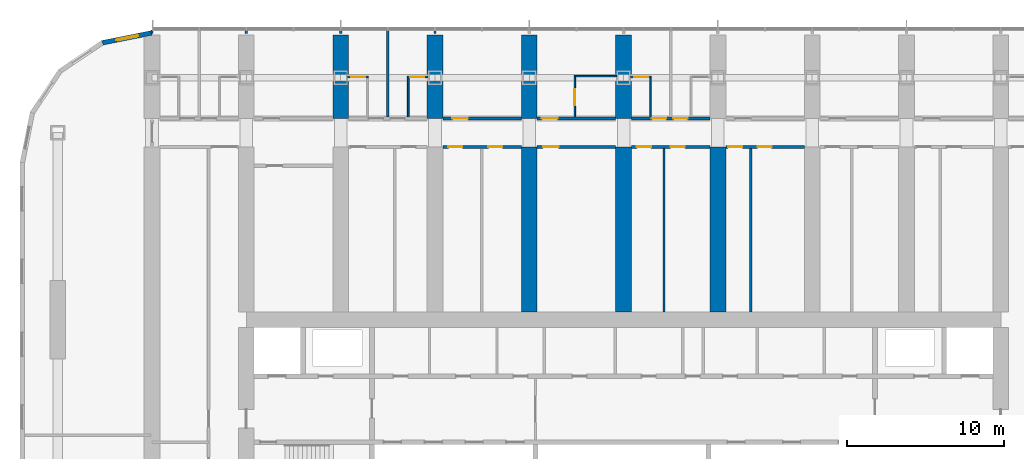
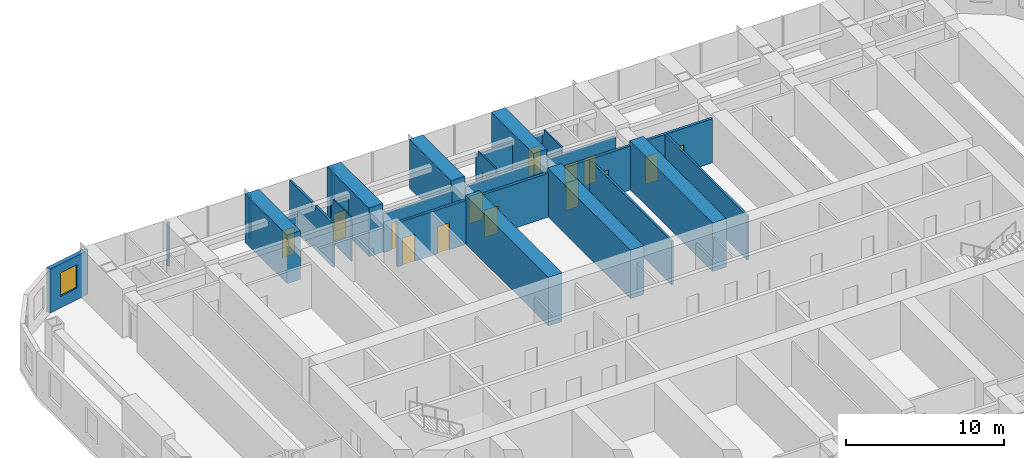
# One storey, part 15 of 23: 29 walls, 15 doors, 1 window, 16 openings.
"""IFC4 building model written with IfcOpenShell, lengths in metres."""

from ifc_helpers import new_model, si_unit, direction, frame, frame_2d, origin, place, context, subcontext, project, spatial, polyline, rectangle, outline, extrude, material, layer, layer_set, type_object, element, fill, save


model = new_model("IFC4")

# Units and contexts
model_context = context("Model", 3, precision=1e-05, world=origin(), true_north=direction((0.0, 1.0)))
body_context = subcontext(model_context, "Body", "Model", "MODEL_VIEW")
ifc_project = project(units=[si_unit("LENGTHUNIT", "METRE"), si_unit("AREAUNIT", "SQUARE_METRE"), si_unit("VOLUMEUNIT", "CUBIC_METRE"), si_unit("PLANEANGLEUNIT", "RADIAN"), si_unit("MASSUNIT", "GRAM", prefix="KILO")], contexts=[model_context])

# Site, building, storey
site_placement = place(None, origin())
site = spatial("IfcSite", under=ifc_project, at=site_placement, CompositionType="ELEMENT")
building_placement = place(site_placement, origin())
building = spatial("IfcBuilding", under=site, at=building_placement, Name="Orbita Commons", CompositionType="ELEMENT")
storey_placement = place(building_placement, frame((0.0, 0.0, 65.199951171875)))
storey = spatial("IfcBuildingStorey", under=building, at=storey_placement, Name="L16", CompositionType="ELEMENT", Elevation=65.199951171875)

# Wall, opening, door
ifc_material_1 = material(Name="Concrete blockwork", Category="masonry")
ifc_layer_1 = layer(ifc_material_1, 0.199951171875)
ifc_layer_set_1 = layer_set([ifc_layer_1], Name="Concrete blockwork")
wall_type_1 = type_object("IfcWallType", Name="Corridor wall 200 blockwork", PredefinedType="SOLIDWALL", material=ifc_layer_set_1)
wall_1_placement = place(storey_placement, frame((30.5, 51.0, 0.0), z_axis=(0.0, 0.0, 1.0), x_axis=(1.0, 0.0, 0.0)))
wall_1 = element("IfcWall", 1, at=wall_1_placement, inside=storey, type_object=wall_type_1, Name="Corridor wall 200 blockwork L16", PredefinedType="SOLIDWALL", context=body_context, shape_type="SweptSolid", body=[
    extrude(outline(polyline([(0.0, 0.0), (5.0, 0.0), (5.0, 3.0), (0.0, 3.0), (0.0, 0.0)])), frame((0.0, 0.10009765625, 0.0), z_axis=(0.0, -1.0, 0.0), x_axis=(1.0, 0.0, 0.0)), (0.0, 0.0, 1.0), 0.199951171875),
])
opening_1_placement = place(wall_1_placement, frame((0.60009765625, 0.0, 0.0)))
opening_1 = element("IfcOpeningElement", 2, at=opening_1_placement, cuts=wall_1, Name="Opening D06", PredefinedType="OPENING", context=body_context, shape_type="SweptSolid", body=[
    extrude(rectangle(XDim=1.0, YDim=2.10009765625, at=frame_2d((0.5, 1.050048828125))), frame((0.0, 0.10986328125, 0.0), z_axis=(0.0, -1.0, 0.0), x_axis=(1.0, 0.0, 0.0)), (0.0, 0.0, 1.0), 0.219970703125),
])
ifc_material_2 = material(Name="Steel-faced fire door leaf", Category="steel")
door_type_1 = type_object("IfcDoorType", Name="Corridor door 20 min 1000x2100", OperationType="SINGLE_SWING_LEFT", PredefinedType="DOOR", material=ifc_material_2)
door_1_placement = place(opening_1_placement, origin())
door_1 = element("IfcDoor", 3, at=door_1_placement, inside=storey, type_object=door_type_1, Name="House common room L16-N06 door", OperationType="SINGLE_SWING_LEFT", OverallHeight=2.10009765625, OverallWidth=1.0, PredefinedType="DOOR", context=body_context, shape_type="SweptSolid", body=[
    extrude(rectangle(XDim=1.0, YDim=2.10009765625, at=frame_2d((0.5, 1.050048828125))), frame((0.0, 0.02490234375, 0.0), z_axis=(0.0, -1.0, 0.0), x_axis=(1.0, 0.0, 0.0)), (0.0, 0.0, 1.0), 0.050048828125),
])
fill(opening_1, door_1)

wall_2_placement = place(storey_placement, frame((36.5, 51.0, 0.0), z_axis=(0.0, 0.0, 1.0), x_axis=(1.0, 0.0, 0.0)))
wall_2 = element("IfcWall", 4, at=wall_2_placement, inside=storey, type_object=wall_type_1, Name="Corridor wall 200 blockwork L16", PredefinedType="SOLIDWALL", context=body_context, shape_type="SweptSolid", body=[
    extrude(outline(polyline([(0.0, 0.0), (5.0, 0.0), (5.0, 3.0), (0.0, 3.0), (0.0, 0.0)])), frame((0.0, 0.10009765625, 0.0), z_axis=(0.0, -1.0, 0.0), x_axis=(1.0, 0.0, 0.0)), (0.0, 0.0, 1.0), 0.199951171875),
])
opening_2_placement = place(wall_2_placement, frame((0.300048828125, 0.0, 0.0)))
opening_2 = element("IfcOpeningElement", 5, at=opening_2_placement, cuts=wall_2, Name="Opening D06", PredefinedType="OPENING", context=body_context, shape_type="SweptSolid", body=[
    extrude(rectangle(XDim=1.0, YDim=2.10009765625, at=frame_2d((0.5, 1.050048828125))), frame((0.0, 0.10986328125, 0.0), z_axis=(0.0, -1.0, 0.0), x_axis=(1.0, 0.0, 0.0)), (0.0, 0.0, 1.0), 0.219970703125),
])
door_2_placement = place(opening_2_placement, origin())
door_2 = element("IfcDoor", 6, at=door_2_placement, inside=storey, type_object=door_type_1, Name="Accessible bedroom L16-N08 door", OperationType="SINGLE_SWING_LEFT", OverallHeight=2.10009765625, OverallWidth=1.0, PredefinedType="DOOR", context=body_context, shape_type="SweptSolid", body=[
    extrude(rectangle(XDim=1.0, YDim=2.10009765625, at=frame_2d((0.5, 1.050048828125))), frame((0.0, 0.02490234375, 0.0), z_axis=(0.0, -1.0, 0.0), x_axis=(1.0, 0.0, 0.0)), (0.0, 0.0, 1.0), 0.050048828125),
])
fill(opening_2, door_2)

# Wall, openings, doors
wall_3_placement = place(storey_placement, frame((42.5, 51.0, 0.0), z_axis=(0.0, 0.0, 1.0), x_axis=(1.0, 0.0, 0.0)))
wall_3 = element("IfcWall", 7, at=wall_3_placement, inside=storey, type_object=wall_type_1, Name="Corridor wall 200 blockwork L16", PredefinedType="SOLIDWALL", context=body_context, shape_type="SweptSolid", body=[
    extrude(outline(polyline([(0.0, 0.0), (5.0, 0.0), (5.0, 3.0), (0.0, 3.0), (0.0, 0.0)])), frame((0.0, 0.10009765625, 0.0), z_axis=(0.0, -1.0, 0.0), x_axis=(1.0, 0.0, 0.0)), (0.0, 0.0, 1.0), 0.199951171875),
])
opening_3_placement = place(wall_3_placement, frame((1.300048828125, 0.0, 0.0)))
opening_3 = element("IfcOpeningElement", 8, at=opening_3_placement, cuts=wall_3, Name="Opening D11", PredefinedType="OPENING", context=body_context, shape_type="SweptSolid", body=[
    extrude(rectangle(XDim=0.89990234375, YDim=2.10009765625, at=frame_2d((0.449951171875, 1.050048828125))), frame((0.0, 0.10986328125, 0.0), z_axis=(0.0, -1.0, 0.0), x_axis=(1.0, 0.0, 0.0)), (0.0, 0.0, 1.0), 0.219970703125),
])
opening_4_placement = place(wall_3_placement, frame((2.675048828125, 0.0, 0.0)))
opening_4 = element("IfcOpeningElement", 9, at=opening_4_placement, cuts=wall_3, Name="Opening D11", PredefinedType="OPENING", context=body_context, shape_type="SweptSolid", body=[
    extrude(rectangle(XDim=0.89990234375, YDim=2.10009765625, at=frame_2d((0.449951171875, 1.050048828125))), frame((0.0, 0.10986328125, 0.0), z_axis=(0.0, -1.0, 0.0), x_axis=(1.0, 0.0, 0.0)), (0.0, 0.0, 1.0), 0.219970703125),
])
ifc_material_3 = material(Name="Steel-faced fire door leaf", Category="steel")
door_type_2 = type_object("IfcDoorType", Name="Corridor door 20 min 900x2100", OperationType="SINGLE_SWING_LEFT", PredefinedType="DOOR", material=ifc_material_3)
door_3_placement = place(opening_3_placement, origin())
door_3 = element("IfcDoor", 10, at=door_3_placement, inside=storey, type_object=door_type_2, Name="House bedroom L16-N10 door", OperationType="SINGLE_SWING_LEFT", OverallHeight=2.10009765625, OverallWidth=0.89990234375, PredefinedType="DOOR", context=body_context, shape_type="SweptSolid", body=[
    extrude(rectangle(XDim=0.89990234375, YDim=2.10009765625, at=frame_2d((0.449951171875, 1.050048828125))), frame((0.0, 0.02490234375, 0.0), z_axis=(0.0, -1.0, 0.0), x_axis=(1.0, 0.0, 0.0)), (0.0, 0.0, 1.0), 0.050048828125),
])
fill(opening_3, door_3)
door_4_placement = place(opening_4_placement, origin())
door_4 = element("IfcDoor", 11, at=door_4_placement, inside=storey, type_object=door_type_2, Name="House bedroom L16-N11 door", OperationType="SINGLE_SWING_LEFT", OverallHeight=2.10009765625, OverallWidth=0.89990234375, PredefinedType="DOOR", context=body_context, shape_type="SweptSolid", body=[
    extrude(rectangle(XDim=0.89990234375, YDim=2.10009765625, at=frame_2d((0.449951171875, 1.050048828125))), frame((0.0, 0.02490234375, 0.0), z_axis=(0.0, -1.0, 0.0), x_axis=(1.0, 0.0, 0.0)), (0.0, 0.0, 1.0), 0.050048828125),
])
fill(opening_4, door_4)

ifc_material_4 = material(Name="Hollow concrete block 200", Category="concrete")
ifc_layer_2 = layer(ifc_material_4, 0.199951171875)
ifc_layer_set_2 = layer_set([ifc_layer_2], Name="Hollow concrete block 200")
wall_type_2 = type_object("IfcWallType", Name="Corridor wall 200 hollow concrete block", PredefinedType="SOLIDWALL", material=ifc_layer_set_2)
wall_4_placement = place(storey_placement, frame((30.5, 49.199951171875, 0.0), z_axis=(0.0, 0.0, 1.0), x_axis=(1.0, 0.0, 0.0)))
wall_4 = element("IfcWall", 12, at=wall_4_placement, inside=storey, type_object=wall_type_2, Name="Corridor wall 200 hollow concrete block L16", PredefinedType="SOLIDWALL", context=body_context, shape_type="SweptSolid", body=[
    extrude(rectangle(XDim=5.0, YDim=0.199951171875, at=frame_2d((2.5, 0.0))), origin(), (0.0, 0.0, 1.0), 3.400146484375),
])
opening_5_placement = place(wall_4_placement, frame((0.35009765625, 0.0, 0.0)))
opening_5 = element("IfcOpeningElement", 13, at=opening_5_placement, cuts=wall_4, Name="Opening D11", PredefinedType="OPENING", context=body_context, shape_type="SweptSolid", body=[
    extrude(rectangle(XDim=0.89990234375, YDim=2.10009765625, at=frame_2d((0.449951171875, 1.050048828125))), frame((0.0, 0.10986328125, 0.0), z_axis=(0.0, -1.0, 0.0), x_axis=(1.0, 0.0, 0.0)), (0.0, 0.0, 1.0), 0.219970703125),
])
opening_6_placement = place(wall_4_placement, frame((2.89501953125, 0.0, 0.0)))
opening_6 = element("IfcOpeningElement", 14, at=opening_6_placement, cuts=wall_4, Name="Opening D11", PredefinedType="OPENING", context=body_context, shape_type="SweptSolid", body=[
    extrude(rectangle(XDim=0.89990234375, YDim=2.10009765625, at=frame_2d((0.449951171875, 1.050048828125))), frame((0.0, 0.10986328125, 0.0), z_axis=(0.0, -1.0, 0.0), x_axis=(1.0, 0.0, 0.0)), (0.0, 0.0, 1.0), 0.219970703125),
])
door_5_placement = place(opening_5_placement, origin())
door_5 = element("IfcDoor", 15, at=door_5_placement, inside=storey, type_object=door_type_2, Name="Sprinkler valve room L16-BDN30n door", OperationType="SINGLE_SWING_LEFT", OverallHeight=2.10009765625, OverallWidth=0.89990234375, PredefinedType="DOOR", context=body_context, shape_type="SweptSolid", body=[
    extrude(rectangle(XDim=0.89990234375, YDim=2.10009765625, at=frame_2d((0.449951171875, 1.050048828125))), frame((0.0, 0.02490234375, 0.0), z_axis=(0.0, -1.0, 0.0), x_axis=(1.0, 0.0, 0.0)), (0.0, 0.0, 1.0), 0.050048828125),
])
fill(opening_5, door_5)
door_6_placement = place(opening_6_placement, origin())
door_6 = element("IfcDoor", 16, at=door_6_placement, inside=storey, type_object=door_type_2, Name="Electrical and data room L16-BDN30 door", OperationType="SINGLE_SWING_LEFT", OverallHeight=2.10009765625, OverallWidth=0.89990234375, PredefinedType="DOOR", context=body_context, shape_type="SweptSolid", body=[
    extrude(rectangle(XDim=0.89990234375, YDim=2.10009765625, at=frame_2d((0.449951171875, 1.050048828125))), frame((0.0, 0.02490234375, 0.0), z_axis=(0.0, -1.0, 0.0), x_axis=(1.0, 0.0, 0.0)), (0.0, 0.0, 1.0), 0.050048828125),
])
fill(opening_6, door_6)

# Wall, opening, door
wall_5_placement = place(storey_placement, frame((36.5, 49.199951171875, 0.0), z_axis=(0.0, 0.0, 1.0), x_axis=(1.0, 0.0, 0.0)))
wall_5 = element("IfcWall", 17, at=wall_5_placement, inside=storey, type_object=wall_type_2, Name="Corridor wall 200 hollow concrete block L16", PredefinedType="SOLIDWALL", context=body_context, shape_type="SweptSolid", body=[
    extrude(rectangle(XDim=5.0, YDim=0.199951171875, at=frame_2d((2.5, 0.0))), origin(), (0.0, 0.0, 1.0), 3.400146484375),
])
opening_7_placement = place(wall_5_placement, frame((0.375, 0.0, 0.0)))
opening_7 = element("IfcOpeningElement", 18, at=opening_7_placement, cuts=wall_5, Name="Opening D06", PredefinedType="OPENING", context=body_context, shape_type="SweptSolid", body=[
    extrude(rectangle(XDim=1.0, YDim=2.10009765625, at=frame_2d((0.5, 1.050048828125))), frame((0.0, 0.10986328125, 0.0), z_axis=(0.0, -1.0, 0.0), x_axis=(1.0, 0.0, 0.0)), (0.0, 0.0, 1.0), 0.219970703125),
])
door_7_placement = place(opening_7_placement, origin())
door_7 = element("IfcDoor", 19, at=door_7_placement, inside=storey, type_object=door_type_1, Name="Store L16-BDN36 door", OperationType="SINGLE_SWING_LEFT", OverallHeight=2.10009765625, OverallWidth=1.0, PredefinedType="DOOR", context=body_context, shape_type="SweptSolid", body=[
    extrude(rectangle(XDim=1.0, YDim=2.10009765625, at=frame_2d((0.5, 1.050048828125))), frame((0.0, 0.02490234375, 0.0), z_axis=(0.0, -1.0, 0.0), x_axis=(1.0, 0.0, 0.0)), (0.0, 0.0, 1.0), 0.050048828125),
])
fill(opening_7, door_7)

# Wall, openings, doors
wall_6_placement = place(storey_placement, frame((42.5, 49.199951171875, 0.0), z_axis=(0.0, 0.0, 1.0), x_axis=(1.0, 0.0, 0.0)))
wall_6 = element("IfcWall", 20, at=wall_6_placement, inside=storey, type_object=wall_type_2, Name="Corridor wall 200 hollow concrete block L16", PredefinedType="SOLIDWALL", context=body_context, shape_type="SweptSolid", body=[
    extrude(rectangle(XDim=5.0, YDim=0.199951171875, at=frame_2d((2.5, 0.0))), origin(), (0.0, 0.0, 1.0), 3.400146484375),
])
opening_8_placement = place(wall_6_placement, frame((0.35009765625, 0.0, 0.0)))
opening_8 = element("IfcOpeningElement", 21, at=opening_8_placement, cuts=wall_6, Name="Opening D11", PredefinedType="OPENING", context=body_context, shape_type="SweptSolid", body=[
    extrude(rectangle(XDim=0.89990234375, YDim=2.10009765625, at=frame_2d((0.449951171875, 1.050048828125))), frame((0.0, 0.10986328125, 0.0), z_axis=(0.0, -1.0, 0.0), x_axis=(1.0, 0.0, 0.0)), (0.0, 0.0, 1.0), 0.219970703125),
])
opening_9_placement = place(wall_6_placement, frame((2.4951171875, 0.0, 0.0)))
opening_9 = element("IfcOpeningElement", 22, at=opening_9_placement, cuts=wall_6, Name="Opening D11", PredefinedType="OPENING", context=body_context, shape_type="SweptSolid", body=[
    extrude(rectangle(XDim=0.89990234375, YDim=2.10009765625, at=frame_2d((0.449951171875, 1.050048828125))), frame((0.0, 0.10986328125, 0.0), z_axis=(0.0, -1.0, 0.0), x_axis=(1.0, 0.0, 0.0)), (0.0, 0.0, 1.0), 0.219970703125),
])
door_8_placement = place(opening_8_placement, origin())
door_8 = element("IfcDoor", 23, at=door_8_placement, inside=storey, type_object=door_type_2, Name="Riser access cupboard L16-BDN42n door", OperationType="SINGLE_SWING_LEFT", OverallHeight=2.10009765625, OverallWidth=0.89990234375, PredefinedType="DOOR", context=body_context, shape_type="SweptSolid", body=[
    extrude(rectangle(XDim=0.89990234375, YDim=2.10009765625, at=frame_2d((0.449951171875, 1.050048828125))), frame((0.0, 0.02490234375, 0.0), z_axis=(0.0, -1.0, 0.0), x_axis=(1.0, 0.0, 0.0)), (0.0, 0.0, 1.0), 0.050048828125),
])
fill(opening_8, door_8)
door_9_placement = place(opening_9_placement, origin())
door_9 = element("IfcDoor", 24, at=door_9_placement, inside=storey, type_object=door_type_2, Name="Bulk and luggage store L16-BDN42 door", OperationType="SINGLE_SWING_LEFT", OverallHeight=2.10009765625, OverallWidth=0.89990234375, PredefinedType="DOOR", context=body_context, shape_type="SweptSolid", body=[
    extrude(rectangle(XDim=0.89990234375, YDim=2.10009765625, at=frame_2d((0.449951171875, 1.050048828125))), frame((0.0, 0.02490234375, 0.0), z_axis=(0.0, -1.0, 0.0), x_axis=(1.0, 0.0, 0.0)), (0.0, 0.0, 1.0), 0.050048828125),
])
fill(opening_9, door_9)

wall_7_placement = place(storey_placement, frame((48.5, 49.199951171875, 0.0), z_axis=(0.0, 0.0, 1.0), x_axis=(1.0, 0.0, 0.0)))
wall_7 = element("IfcWall", 25, at=wall_7_placement, inside=storey, type_object=wall_type_2, Name="Corridor wall 200 hollow concrete block L16", PredefinedType="SOLIDWALL", context=body_context, shape_type="SweptSolid", body=[
    extrude(rectangle(XDim=5.0, YDim=0.199951171875, at=frame_2d((2.5, 0.0))), origin(), (0.0, 0.0, 1.0), 3.400146484375),
])
opening_10_placement = place(wall_7_placement, frame((0.14990234375, 0.0, 0.0)))
opening_10 = element("IfcOpeningElement", 26, at=opening_10_placement, cuts=wall_7, Name="Opening D11", PredefinedType="OPENING", context=body_context, shape_type="SweptSolid", body=[
    extrude(rectangle(XDim=0.89990234375, YDim=2.10009765625, at=frame_2d((0.449951171875, 1.050048828125))), frame((0.0, 0.10986328125, 0.0), z_axis=(0.0, -1.0, 0.0), x_axis=(1.0, 0.0, 0.0)), (0.0, 0.0, 1.0), 0.219970703125),
])
opening_11_placement = place(wall_7_placement, frame((2.02001953125, 0.0, 0.0)))
opening_11 = element("IfcOpeningElement", 27, at=opening_11_placement, cuts=wall_7, Name="Opening D11", PredefinedType="OPENING", context=body_context, shape_type="SweptSolid", body=[
    extrude(rectangle(XDim=0.89990234375, YDim=2.10009765625, at=frame_2d((0.449951171875, 1.050048828125))), frame((0.0, 0.10986328125, 0.0), z_axis=(0.0, -1.0, 0.0), x_axis=(1.0, 0.0, 0.0)), (0.0, 0.0, 1.0), 0.219970703125),
])
door_10_placement = place(opening_10_placement, origin())
door_10 = element("IfcDoor", 28, at=door_10_placement, inside=storey, type_object=door_type_2, Name="Water heater cupboard L16-BDN48n door", OperationType="SINGLE_SWING_LEFT", OverallHeight=2.10009765625, OverallWidth=0.89990234375, PredefinedType="DOOR", context=body_context, shape_type="SweptSolid", body=[
    extrude(rectangle(XDim=0.89990234375, YDim=2.10009765625, at=frame_2d((0.449951171875, 1.050048828125))), frame((0.0, 0.02490234375, 0.0), z_axis=(0.0, -1.0, 0.0), x_axis=(1.0, 0.0, 0.0)), (0.0, 0.0, 1.0), 0.050048828125),
])
fill(opening_10, door_10)
door_11_placement = place(opening_11_placement, origin())
door_11 = element("IfcDoor", 29, at=door_11_placement, inside=storey, type_object=door_type_2, Name="Linen store L16-BDN48 door", OperationType="SINGLE_SWING_LEFT", OverallHeight=2.10009765625, OverallWidth=0.89990234375, PredefinedType="DOOR", context=body_context, shape_type="SweptSolid", body=[
    extrude(rectangle(XDim=0.89990234375, YDim=2.10009765625, at=frame_2d((0.449951171875, 1.050048828125))), frame((0.0, 0.02490234375, 0.0), z_axis=(0.0, -1.0, 0.0), x_axis=(1.0, 0.0, 0.0)), (0.0, 0.0, 1.0), 0.050048828125),
])
fill(opening_11, door_11)

# Walls
ifc_material_5 = material(Name="Concrete C50/60", Category="concrete")
ifc_layer_3 = layer(ifc_material_5, 1.0)
ifc_layer_set_3 = layer_set([ifc_layer_3], Name="Concrete C50/60")
wall_type_3 = type_object("IfcWallType", Name="Cross wall 1000 C50/60", PredefinedType="SHEAR", material=ifc_layer_set_3)
for number, where, z_axis, x_axis, name in (
    (30, (24.0, 51.0, 0.0), (0.0, 0.0, 1.0), (0.0, 1.0, 0.0), "Cross wall 5 north outer L16"),
    (31, (30.0, 51.0, 0.0), (0.0, 0.0, 1.0), (0.0, 1.0, 0.0), "Cross wall 6 north outer L16"),
    (32, (36.0, 51.0, 0.0), (0.0, 0.0, 1.0), (0.0, 1.0, 0.0), "Cross wall 7 north outer L16"),
):
    element("IfcWall", number, at=place(storey_placement, frame(where, z_axis=z_axis, x_axis=x_axis)), inside=storey, type_object=wall_type_3, Name=name, PredefinedType="SHEAR", context=body_context, shape_type="SweptSolid", body=[
        extrude(rectangle(XDim=5.300048828125, YDim=1.0, at=frame_2d((2.64990234375, 0.0))), origin(), (0.0, 0.0, 1.0), 3.75),
    ])
wall_8_placement = place(storey_placement, frame((36.0, 38.699951171875, 0.0), z_axis=(0.0, 0.0, 1.0), x_axis=(0.0, 1.0, 0.0)))
element("IfcWall", 33, at=wall_8_placement, inside=storey, type_object=wall_type_3, Name="Cross wall 7 north inner L16", PredefinedType="SHEAR", context=body_context, shape_type="SweptSolid", body=[
    extrude(rectangle(XDim=10.5, YDim=1.0, at=frame_2d((5.25, 0.0))), origin(), (0.0, 0.0, 1.0), 3.75),
])
wall_9_placement = place(storey_placement, frame((42.0, 51.0, 0.0), z_axis=(0.0, 0.0, 1.0), x_axis=(0.0, 1.0, 0.0)))
element("IfcWall", 34, at=wall_9_placement, inside=storey, type_object=wall_type_3, Name="Cross wall 8 north outer L16", PredefinedType="SHEAR", context=body_context, shape_type="SweptSolid", body=[
    extrude(rectangle(XDim=5.300048828125, YDim=1.0, at=frame_2d((2.64990234375, 0.0))), origin(), (0.0, 0.0, 1.0), 3.75),
])
for number, where, z_axis, x_axis, name in (
    (35, (42.0, 38.699951171875, 0.0), (0.0, 0.0, 1.0), (0.0, 1.0, 0.0), "Cross wall 8 north inner L16"),
    (36, (48.0, 38.699951171875, 0.0), (0.0, 0.0, 1.0), (0.0, 1.0, 0.0), "Cross wall 9 north inner L16"),
):
    element("IfcWall", number, at=place(storey_placement, frame(where, z_axis=z_axis, x_axis=x_axis)), inside=storey, type_object=wall_type_3, Name=name, PredefinedType="SHEAR", context=body_context, shape_type="SweptSolid", body=[
        extrude(rectangle(XDim=10.5, YDim=1.0, at=frame_2d((5.25, 0.0))), origin(), (0.0, 0.0, 1.0), 3.75),
    ])

# Wall, opening, door
ifc_material_6 = material(Name="Moisture-resistant plasterboard on steel studs", Category="steel")
ifc_layer_4 = layer(ifc_material_6, 0.10009765625)
ifc_layer_set_4 = layer_set([ifc_layer_4], Name="Moisture-resistant plasterboard on steel studs")
wall_type_4 = type_object("IfcWallType", Name="En-suite partition 100", PredefinedType="PARTITIONING", material=ifc_layer_set_4)
wall_10_placement = place(storey_placement, frame((24.449951171875, 53.6416015625, 0.0), z_axis=(0.0, 0.0, 1.0), x_axis=(1.0, 0.0, 0.0)))
wall_10 = element("IfcWall", 37, at=wall_10_placement, inside=storey, type_object=wall_type_4, Name="En-suite partition 100 L16", PredefinedType="PARTITIONING", context=body_context, shape_type="SweptSolid", body=[
    extrude(outline(polyline([(0.0, 0.0), (1.300048828125, 0.0), (1.300048828125, 3.0), (0.0, 3.0), (0.0, 0.0)])), frame((0.0, 0.050048828125, 0.0), z_axis=(0.0, -1.0, 0.0), x_axis=(1.0, 0.0, 0.0)), (0.0, 0.0, 1.0), 0.10009765625),
])
opening_12_placement = place(wall_10_placement, frame((0.22509765625, 0.0, 0.0)))
opening_12 = element("IfcOpeningElement", 38, at=opening_12_placement, cuts=wall_10, Name="Opening D09", PredefinedType="OPENING", context=body_context, shape_type="SweptSolid", body=[
    extrude(rectangle(XDim=0.89990234375, YDim=2.10009765625, at=frame_2d((0.449951171875, 1.050048828125))), frame((0.0, 0.06005859375, 0.0), z_axis=(0.0, -1.0, 0.0), x_axis=(1.0, 0.0, 0.0)), (0.0, 0.0, 1.0), 0.1201171875),
])
ifc_material_7 = material(Name="Laminated timber door leaf", Category="wood")
door_type_3 = type_object("IfcDoorType", Name="En-suite door 900x2100", OperationType="SINGLE_SWING_RIGHT", PredefinedType="DOOR", material=ifc_material_7)
door_12_placement = place(opening_12_placement, origin())
door_12 = element("IfcDoor", 39, at=door_12_placement, inside=storey, type_object=door_type_3, Name="En-suite L16-N04 door", OperationType="SINGLE_SWING_RIGHT", OverallHeight=2.10009765625, OverallWidth=0.89990234375, PredefinedType="DOOR", context=body_context, shape_type="SweptSolid", body=[
    extrude(rectangle(XDim=0.89990234375, YDim=2.10009765625, at=frame_2d((0.449951171875, 1.050048828125))), frame((0.0, 0.02490234375, 0.0), z_axis=(0.0, -1.0, 0.0), x_axis=(1.0, 0.0, 0.0)), (0.0, 0.0, 1.0), 0.050048828125),
])
fill(opening_12, door_12)

wall_11_placement = place(storey_placement, frame((28.25, 53.6416015625, 0.0), z_axis=(0.0, 0.0, 1.0), x_axis=(1.0, 0.0, 0.0)))
wall_11 = element("IfcWall", 40, at=wall_11_placement, inside=storey, type_object=wall_type_4, Name="En-suite partition 100 L16", PredefinedType="PARTITIONING", context=body_context, shape_type="SweptSolid", body=[
    extrude(outline(polyline([(0.0, 0.0), (1.300048828125, 0.0), (1.300048828125, 3.0), (0.0, 3.0), (0.0, 0.0)])), frame((0.0, 0.050048828125, 0.0), z_axis=(0.0, -1.0, 0.0), x_axis=(1.0, 0.0, 0.0)), (0.0, 0.0, 1.0), 0.10009765625),
])
opening_13_placement = place(wall_11_placement, frame((0.175048828125, 0.0, 0.0)))
opening_13 = element("IfcOpeningElement", 41, at=opening_13_placement, cuts=wall_11, Name="Opening D09", PredefinedType="OPENING", context=body_context, shape_type="SweptSolid", body=[
    extrude(rectangle(XDim=0.89990234375, YDim=2.10009765625, at=frame_2d((0.449951171875, 1.050048828125))), frame((0.0, 0.06005859375, 0.0), z_axis=(0.0, -1.0, 0.0), x_axis=(1.0, 0.0, 0.0)), (0.0, 0.0, 1.0), 0.1201171875),
])
door_13_placement = place(opening_13_placement, origin())
door_13 = element("IfcDoor", 42, at=door_13_placement, inside=storey, type_object=door_type_3, Name="En-suite L16-N05 door", OperationType="SINGLE_SWING_RIGHT", OverallHeight=2.10009765625, OverallWidth=0.89990234375, PredefinedType="DOOR", context=body_context, shape_type="SweptSolid", body=[
    extrude(rectangle(XDim=0.89990234375, YDim=2.10009765625, at=frame_2d((0.449951171875, 1.050048828125))), frame((0.0, 0.02490234375, 0.0), z_axis=(0.0, -1.0, 0.0), x_axis=(1.0, 0.0, 0.0)), (0.0, 0.0, 1.0), 0.050048828125),
])
fill(opening_13, door_13)

# Walls
wall_12_placement = place(storey_placement, frame((28.300048828125, 53.591796875, 0.0), z_axis=(0.0, 0.0, 1.0), x_axis=(0.0, -1.0, 0.0)))
element("IfcWall", 43, at=wall_12_placement, inside=storey, type_object=wall_type_4, Name="En-suite partition 100 L16", PredefinedType="PARTITIONING", context=body_context, shape_type="SweptSolid", body=[
    extrude(outline(polyline([(0.0, 0.0), (2.49169921875, 0.0), (2.49169921875, 3.0), (2.443603515625, 3.0), (2.441650390625, 3.400146484375), (0.193603515625, 3.400146484375), (0.191650390625, 3.0), (0.0, 3.0), (0.0, 0.0)])), frame((0.0, 0.050048828125, 0.0), z_axis=(0.0, -1.0, 0.0), x_axis=(1.0, 0.0, 0.0)), (0.0, 0.0, 1.0), 0.10009765625),
])
wall_13_placement = place(storey_placement, frame((38.85009765625, 53.699951171875, 0.0), z_axis=(0.0, 0.0, 1.0), x_axis=(1.0, 0.0, 0.0)))
element("IfcWall", 44, at=wall_13_placement, inside=storey, type_object=wall_type_4, Name="En-suite partition 100 L16", PredefinedType="PARTITIONING", context=body_context, shape_type="SweptSolid", body=[
    extrude(outline(polyline([(0.0, 0.0), (2.699951171875, 0.0), (2.699951171875, 3.0), (0.0, 3.0), (0.0, 0.0)])), frame((0.0, 0.050048828125, 0.0), z_axis=(0.0, -1.0, 0.0), x_axis=(1.0, 0.0, 0.0)), (0.0, 0.0, 1.0), 0.10009765625),
])

# Wall, opening, door
wall_14_placement = place(storey_placement, frame((38.89990234375, 53.64990234375, 0.0), z_axis=(0.0, 0.0, 1.0), x_axis=(0.0, -1.0, 0.0)))
wall_14 = element("IfcWall", 45, at=wall_14_placement, inside=storey, type_object=wall_type_4, Name="En-suite partition 100 L16", PredefinedType="PARTITIONING", context=body_context, shape_type="SweptSolid", body=[
    extrude(outline(polyline([(0.0, 0.0), (2.5498046875, 0.0), (2.550048828125, 3.0), (2.501953125, 3.0), (2.5, 3.400146484375), (0.251953125, 3.400146484375), (0.25, 3.0), (0.0, 3.0), (0.0, 0.0)])), frame((0.0, 0.050048828125, 0.0), z_axis=(0.0, -1.0, 0.0), x_axis=(1.0, 0.0, 0.0)), (0.0, 0.0, 1.0), 0.10009765625),
])
opening_14_placement = place(wall_14_placement, frame((0.800048828125, 0.0, 0.0)))
opening_14 = element("IfcOpeningElement", 46, at=opening_14_placement, cuts=wall_14, Name="Opening D13", PredefinedType="OPENING", context=body_context, shape_type="SweptSolid", body=[
    extrude(rectangle(XDim=1.0, YDim=2.10009765625, at=frame_2d((0.5, 1.050048828125))), frame((0.0, 0.06005859375, 0.0), z_axis=(0.0, -1.0, 0.0), x_axis=(1.0, 0.0, 0.0)), (0.0, 0.0, 1.0), 0.1201171875),
])
ifc_material_8 = material(Name="Laminated timber door leaf", Category="wood")
door_type_4 = type_object("IfcDoorType", Name="En-suite door 1000x2100", OperationType="SINGLE_SWING_RIGHT", PredefinedType="DOOR", material=ifc_material_8)
door_14_placement = place(opening_14_placement, origin())
door_14 = element("IfcDoor", 47, at=door_14_placement, inside=storey, type_object=door_type_4, Name="Accessible shower room L16-N08 door", OperationType="SINGLE_SWING_RIGHT", OverallHeight=2.10009765625, OverallWidth=1.0, PredefinedType="DOOR", context=body_context, shape_type="SweptSolid", body=[
    extrude(rectangle(XDim=1.0, YDim=2.10009765625, at=frame_2d((0.5, 1.050048828125))), frame((0.0, 0.02490234375, 0.0), z_axis=(0.0, -1.0, 0.0), x_axis=(1.0, 0.0, 0.0)), (0.0, 0.0, 1.0), 0.050048828125),
])
fill(opening_14, door_14)

wall_15_placement = place(storey_placement, frame((42.449951171875, 53.6416015625, 0.0), z_axis=(0.0, 0.0, 1.0), x_axis=(1.0, 0.0, 0.0)))
wall_15 = element("IfcWall", 48, at=wall_15_placement, inside=storey, type_object=wall_type_4, Name="En-suite partition 100 L16", PredefinedType="PARTITIONING", context=body_context, shape_type="SweptSolid", body=[
    extrude(outline(polyline([(0.0, 0.0), (1.300048828125, 0.0), (1.300048828125, 3.0), (0.0, 3.0), (0.0, 0.0)])), frame((0.0, 0.050048828125, 0.0), z_axis=(0.0, -1.0, 0.0), x_axis=(1.0, 0.0, 0.0)), (0.0, 0.0, 1.0), 0.10009765625),
])
opening_15_placement = place(wall_15_placement, frame((0.22509765625, 0.0, 0.0)))
opening_15 = element("IfcOpeningElement", 49, at=opening_15_placement, cuts=wall_15, Name="Opening D09", PredefinedType="OPENING", context=body_context, shape_type="SweptSolid", body=[
    extrude(rectangle(XDim=0.89990234375, YDim=2.10009765625, at=frame_2d((0.449951171875, 1.050048828125))), frame((0.0, 0.06005859375, 0.0), z_axis=(0.0, -1.0, 0.0), x_axis=(1.0, 0.0, 0.0)), (0.0, 0.0, 1.0), 0.1201171875),
])
door_15_placement = place(opening_15_placement, origin())
door_15 = element("IfcDoor", 50, at=door_15_placement, inside=storey, type_object=door_type_3, Name="En-suite L16-N10 door", OperationType="SINGLE_SWING_RIGHT", OverallHeight=2.10009765625, OverallWidth=0.89990234375, PredefinedType="DOOR", context=body_context, shape_type="SweptSolid", body=[
    extrude(rectangle(XDim=0.89990234375, YDim=2.10009765625, at=frame_2d((0.449951171875, 1.050048828125))), frame((0.0, 0.02490234375, 0.0), z_axis=(0.0, -1.0, 0.0), x_axis=(1.0, 0.0, 0.0)), (0.0, 0.0, 1.0), 0.050048828125),
])
fill(opening_15, door_15)

# Walls
wall_16_placement = place(storey_placement, frame((43.699951171875, 53.591796875, 0.0), z_axis=(0.0, 0.0, 1.0), x_axis=(0.0, -1.0, 0.0)))
element("IfcWall", 51, at=wall_16_placement, inside=storey, type_object=wall_type_4, Name="En-suite partition 100 L16", PredefinedType="PARTITIONING", context=body_context, shape_type="SweptSolid", body=[
    extrude(outline(polyline([(0.0, 0.0), (2.49169921875, 0.0), (2.49169921875, 3.0), (2.443603515625, 3.0), (2.441650390625, 3.400146484375), (0.193603515625, 3.400146484375), (0.191650390625, 3.0), (0.0, 3.0), (0.0, 0.0)])), frame((0.0, 0.050048828125, 0.0), z_axis=(0.0, -1.0, 0.0), x_axis=(1.0, 0.0, 0.0)), (0.0, 0.0, 1.0), 0.10009765625),
])
ifc_material_9 = material(Name="Gypsum plasterboard on steel studs", Category="steel")
ifc_layer_5 = layer(ifc_material_9, 0.14990234375)
ifc_layer_set_5 = layer_set([ifc_layer_5], Name="Gypsum plasterboard on steel studs")
wall_type_5 = type_object("IfcWallType", Name="Partition 150 plasterboard", PredefinedType="PARTITIONING", material=ifc_layer_set_5)
for number, where, z_axis, x_axis, name in (
    (52, (44.570068359375, 38.699951171875, 0.0), (0.0, 0.0, 1.0), (0.0, 1.0, 0.0), "Partition 150 plasterboard L16"),
    (53, (50.094970703125, 38.699951171875, 0.0), (0.0, 0.0, 1.0), (0.0, 1.0, 0.0), "Partition 150 plasterboard L16"),
):
    element("IfcWall", number, at=place(storey_placement, frame(where, z_axis=z_axis, x_axis=x_axis)), inside=storey, type_object=wall_type_5, Name=name, PredefinedType="PARTITIONING", context=body_context, shape_type="SweptSolid", body=[
        extrude(rectangle(XDim=10.400146484375, YDim=0.14990234375, at=frame_2d((5.2001953125, 0.0))), origin(), (0.0, 0.0, 1.0), 3.400146484375),
    ])
wall_17_placement = place(storey_placement, frame((12.0, 56.39990234375, 0.0), z_axis=(0.0, 0.0, 1.0), x_axis=(0.0, 1.0, 0.0)))
element("IfcWall", 54, at=wall_17_placement, inside=storey, type_object=wall_type_5, Name="Partition 150 plasterboard L16", PredefinedType="PARTITIONING", context=body_context, shape_type="SweptSolid", body=[
    extrude(rectangle(XDim=0.22021484375, YDim=0.14990234375, at=frame_2d((0.110107421875, 0.0))), origin(), (0.0, 0.0, 1.0), 3.400146484375),
])
for number, where, z_axis, x_axis, name in (
    (55, (18.0, 56.39990234375, 0.0), (0.0, 0.0, 1.0), (0.0, 1.0, 0.0), "Partition 150 plasterboard L16"),
    (56, (24.0, 56.39990234375, 0.0), (0.0, 0.0, 1.0), (0.0, 1.0, 0.0), "Partition 150 plasterboard L16"),
    (57, (30.0, 56.39990234375, 0.0), (0.0, 0.0, 1.0), (0.0, 1.0, 0.0), "Partition 150 plasterboard L16"),
):
    element("IfcWall", number, at=place(storey_placement, frame(where, z_axis=z_axis, x_axis=x_axis)), inside=storey, type_object=wall_type_5, Name=name, PredefinedType="PARTITIONING", context=body_context, shape_type="SweptSolid", body=[
        extrude(rectangle(XDim=0.190185546875, YDim=0.14990234375, at=frame_2d((0.09521484375, 0.0))), origin(), (0.0, 0.0, 1.0), 3.400146484375),
    ])
ifc_material_10 = material(Name="Gypsum plasterboard on steel studs", Category="steel")
ifc_layer_6 = layer(ifc_material_10, 0.14990234375)
ifc_layer_set_6 = layer_set([ifc_layer_6], Name="Gypsum plasterboard on steel studs")
wall_type_6 = type_object("IfcWallType", Name="Party wall 150 plasterboard", PredefinedType="PARTITIONING", material=ifc_layer_set_6)
wall_18_placement = place(storey_placement, frame((27.0, 56.590087890625, 0.0), z_axis=(0.0, 0.0, 1.0), x_axis=(0.0, -1.0, 0.0)))
element("IfcWall", 58, at=wall_18_placement, inside=storey, type_object=wall_type_6, Name="Party wall 150 plasterboard L16", PredefinedType="PARTITIONING", context=body_context, shape_type="SweptSolid", body=[
    extrude(outline(polyline([(0.0, 0.0), (5.489990234375, 0.0), (5.489990234375, 3.0), (5.44189453125, 3.0), (5.43994140625, 3.400146484375), (3.19189453125, 3.400146484375), (3.18994140625, 3.0), (2.7919921875, 3.0), (2.7900390625, 3.400146484375), (0.0, 3.400146484375), (0.0, 0.0)])), frame((0.0, 0.074951171875, 0.0), z_axis=(0.0, -1.0, 0.0), x_axis=(1.0, 0.0, 0.0)), (0.0, 0.0, 1.0), 0.14990234375),
])

# Wall, opening, window
ifc_material_11 = material(Name="Precast concrete C40/50, white board-marked finish", Category="concrete")
ifc_layer_7 = layer(ifc_material_11, 0.300048828125)
ifc_layer_set_7 = layer_set([ifc_layer_7], Name="Precast concrete C40/50, white board-marked finish")
wall_type_7 = type_object("IfcWallType", Name="Precast concrete end shield 300", PredefinedType="SOLIDWALL", material=ifc_layer_set_7)
wall_19_placement = place(storey_placement, frame((12.0, 56.449951171875, 0.0), z_axis=(0.0, 0.0, 1.0), x_axis=(-0.980787251524, -0.195080412259, 0.0)))
wall_19 = element("IfcWall", 59, at=wall_19_placement, inside=storey, type_object=wall_type_7, Name="End shield NW chord 1 L16", PredefinedType="SOLIDWALL", context=body_context, shape_type="SweptSolid", body=[
    extrude(outline(polyline([(-0.02978515625, -0.14990234375), (3.24853515625, -0.14990234375), (3.18896484375, 0.14990234375), (0.02978515625, 0.14990234375), (-0.02978515625, -0.14990234375)])), origin(), (0.0, 0.0, 1.0), 3.400146484375),
])
opening_16_placement = place(wall_19_placement, frame((0.909423828125, 0.0, 0.89990234375)))
opening_16 = element("IfcOpeningElement", 60, at=opening_16_placement, cuts=wall_19, Name="Opening W02", PredefinedType="OPENING", context=body_context, shape_type="SweptSolid", body=[
    extrude(rectangle(XDim=1.39990234375, YDim=1.800048828125, at=frame_2d((0.699951171875, 0.89990234375))), frame((0.0, 0.159912109375, 0.0), z_axis=(0.0, -1.0, 0.0), x_axis=(1.0, 0.0, 0.0)), (0.0, 0.0, 1.0), 0.320068359375),
])
ifc_material_12 = material(Name="Aluminium frame, clear double glazing", Category="aluminium")
window_type = type_object("IfcWindowType", Name="Deep-set window 1400x1800", PartitioningType="SINGLE_PANEL", PredefinedType="WINDOW", material=ifc_material_12)
window_placement = place(opening_16_placement, origin())
window = element("IfcWindow", 61, at=window_placement, inside=storey, type_object=window_type, Name="Window L16-NW0", OverallHeight=1.800048828125, OverallWidth=1.39990234375, PartitioningType="SINGLE_PANEL", PredefinedType="WINDOW", context=body_context, shape_type="SweptSolid", body=[
    extrude(rectangle(XDim=1.39990234375, YDim=1.800048828125, at=frame_2d((0.699951171875, 0.89990234375))), frame((0.0, 0.030029296875, 0.0), z_axis=(0.0, -1.0, 0.0), x_axis=(1.0, 0.0, 0.0)), (0.0, 0.0, 1.0), 0.06005859375),
])
fill(opening_16, window)

save(model, "model.ifc")
